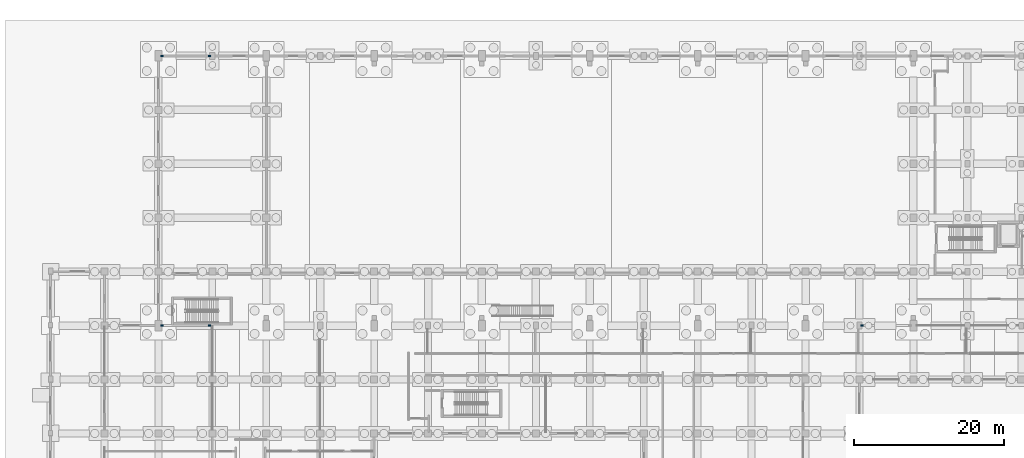
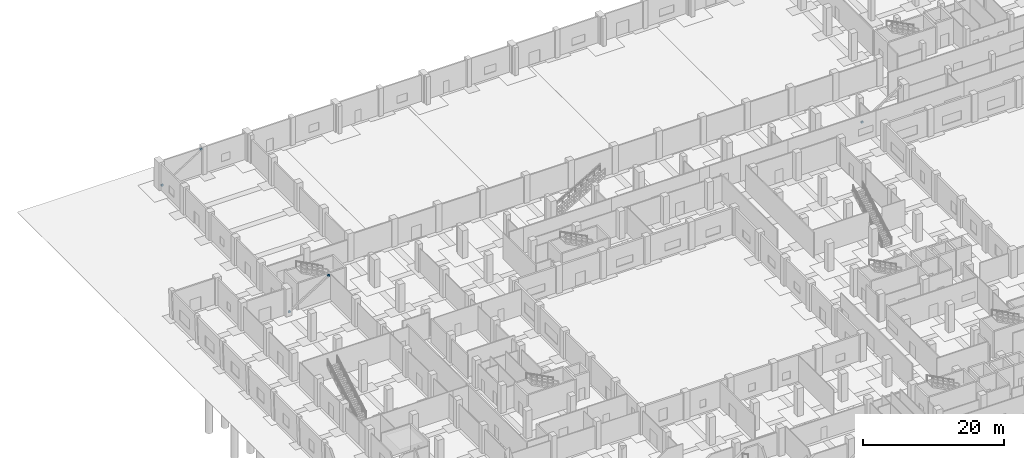
# One storey, part 16 of 48: 5 plates.
"""IFC4 building model written with IfcOpenShell, lengths in metres."""

from ifc_helpers import new_model, si_unit, direction, frame, origin, origin_2d, place, context, subcontext, project, spatial, rectangle, extrude, material, layer, layer_set, type_object, element, save


model = new_model("IFC4")

# Units and contexts
model_context = context("Model", 3, precision=1e-05, world=origin(), true_north=direction((0.0, 1.0)))
body_context = subcontext(model_context, "Body", "Model", "MODEL_VIEW")
ifc_project = project(units=[si_unit("LENGTHUNIT", "METRE"), si_unit("AREAUNIT", "SQUARE_METRE"), si_unit("VOLUMEUNIT", "CUBIC_METRE"), si_unit("PLANEANGLEUNIT", "RADIAN"), si_unit("MASSUNIT", "GRAM", prefix="KILO")], contexts=[model_context])

# Site, building, storey
site_placement = place(None, origin())
site = spatial("IfcSite", under=ifc_project, at=site_placement, CompositionType="ELEMENT")
building_placement = place(site_placement, origin())
building = spatial("IfcBuilding", under=site, at=building_placement, Name="Seraya Terrace Polytechnic", CompositionType="ELEMENT")
storey_placement = place(building_placement, origin())
storey = spatial("IfcBuildingStorey", under=building, at=storey_placement, Name="L00", CompositionType="ELEMENT", Elevation=0.0)

# Plates
ifc_material = material(Name="Steel S355J2", Category="steel")
ifc_layer = layer(ifc_material, 0.300048828125, Name="EP-04")
ifc_layer_set = layer_set([ifc_layer], Name="Steel S355J2")
plate_type = type_object("IfcPlateType", Name="EP-04", PredefinedType="USERDEFINED", material=ifc_layer_set)
for number, where, z_axis, x_axis, name in (
    (1, (14.858154296875, 79.199951171875, 0.095703125), (0.0, 0.0, 1.0), (1.0, 0.0, 0.0), "Hollow end-cap plate VBR-L00-SW start"),
    (2, (21.24169921875, 79.199951171875, 4.1044921875), (0.0, 0.0, 1.0), (1.0, 0.0, 0.0), "Hollow end-cap plate VBR-L00-SW end"),
    (3, (108.358154296875, 79.199951171875, 0.095703125), (0.0, 0.0, 1.0), (1.0, 0.0, 0.0), "Hollow end-cap plate VBR-L00-SE start"),
    (4, (14.858154296875, 115.199951171875, 0.095703125), (0.0, 0.0, 1.0), (1.0, 0.0, 0.0), "Hollow end-cap plate VBR-L00-NW start"),
    (5, (21.24169921875, 115.199951171875, 4.1044921875), (0.0, 0.0, 1.0), (1.0, 0.0, 0.0), "Hollow end-cap plate VBR-L00-NW end"),
):
    element("IfcPlate", number, at=place(storey_placement, frame(where, z_axis=z_axis, x_axis=x_axis)), inside=storey, type_object=plate_type, Name=name, ObjectType="FLANGE_PLATE", PredefinedType="USERDEFINED", context=body_context, shape_type="SweptSolid", body=[
        extrude(rectangle(XDim=0.340087890625, YDim=0.239990234375, at=origin_2d()), origin(), (0.0, 0.0, 1.0), 0.300048828125),
    ])

save(model, "model.ifc")
